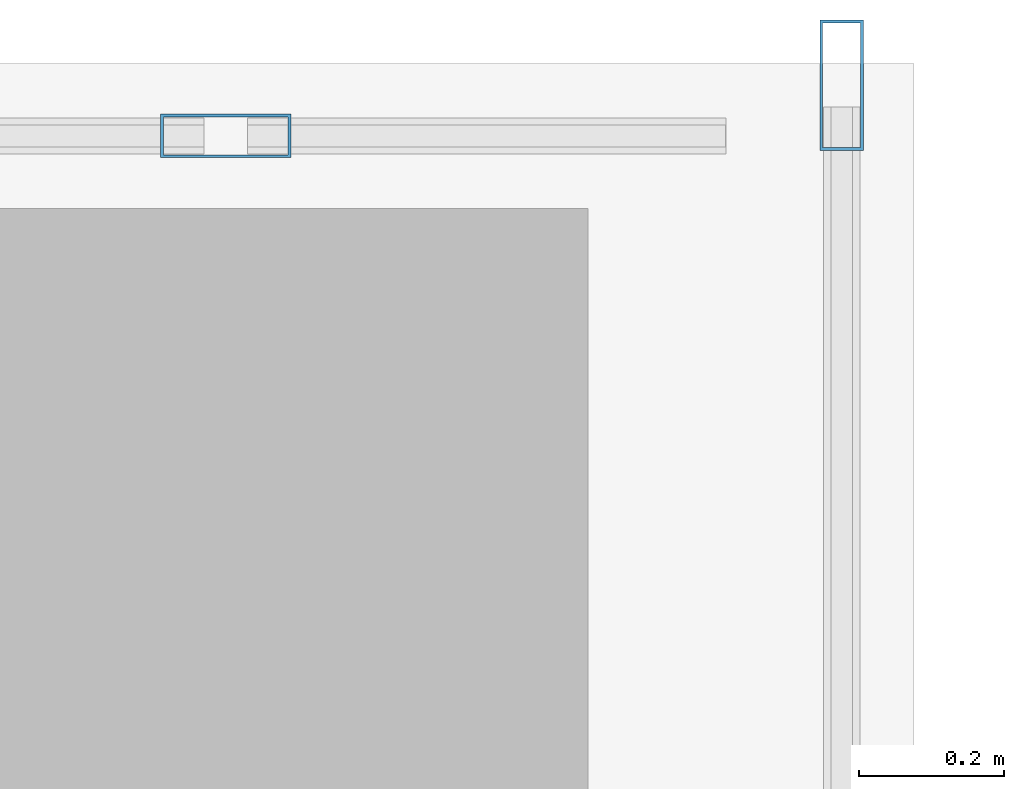
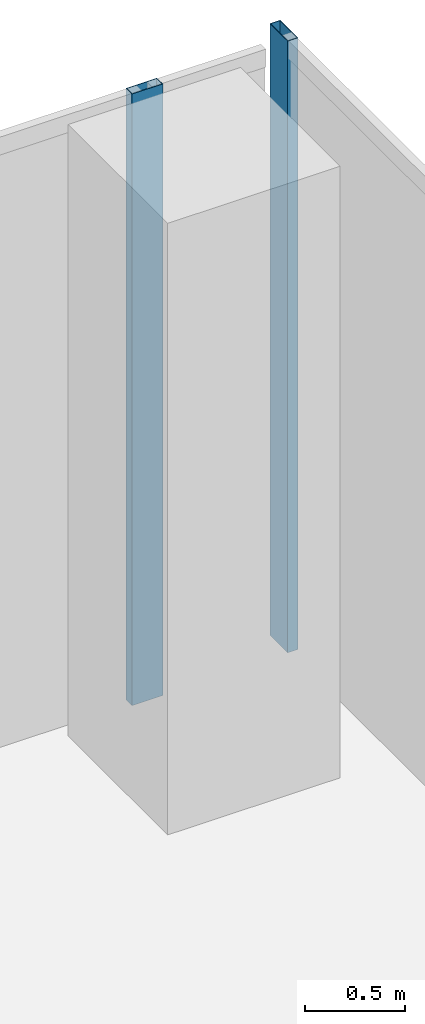
# One storey, part 27 of 40: 2 members, 2 elements without a shape of their own.
"""IFC4 building model written with IfcOpenShell, lengths in metres."""

from ifc_helpers import new_model, si_unit, direction, frame, origin, origin_2d, place, context, subcontext, project, spatial, hollow_rectangle, extrude, source, transform, mapped, material, material_profile, profile_set, type_object, element, aggregate, save


model = new_model("IFC4")

# Units and contexts
model_context = context("Model", 3, precision=1e-05, world=origin(), true_north=direction((0.0, 1.0)))
body_context = subcontext(model_context, "Body", "Model", "MODEL_VIEW")
ifc_project = project(units=[si_unit("LENGTHUNIT", "METRE"), si_unit("AREAUNIT", "SQUARE_METRE"), si_unit("VOLUMEUNIT", "CUBIC_METRE"), si_unit("PLANEANGLEUNIT", "RADIAN"), si_unit("MASSUNIT", "GRAM", prefix="KILO")], contexts=[model_context])

# Site, building, storey
site_placement = place(None, origin())
site = spatial("IfcSite", under=ifc_project, at=site_placement, CompositionType="ELEMENT")
building_placement = place(site_placement, origin())
building = spatial("IfcBuilding", under=site, at=building_placement, Name="Khomas Fold Tower", CompositionType="ELEMENT")
storey_placement = place(building_placement, frame((0.0, 0.0, 192.699951171875)))
storey = spatial("IfcBuildingStorey", under=building, at=storey_placement, Name="L42", CompositionType="ELEMENT", Elevation=192.699951171875)

# Curtain wall, member
ifc_material_1 = material(Name="Aluminium framed double glazing", Category="aluminium")
curtain_wall_type = type_object("IfcCurtainWallType", Name="SK-Unitised clear-glass wall, office floors CW2", PredefinedType="NOTDEFINED", material=ifc_material_1)
curtain_wall_1_placement = place(storey_placement, origin())
curtain_wall_1 = element("IfcCurtainWall", 1, at=curtain_wall_1_placement, inside=storey, type_object=curtain_wall_type, Name="CW2 corner return L42 05", PredefinedType="NOTDEFINED")
ifc_material_2 = material(Name="Aluminium", Category="aluminium")
ifc_material_profile = material_profile(ifc_material_2, hollow_rectangle(XDim=0.06005859375, YDim=0.179931640625, WallThickness=0.00390625, at=origin_2d()), Name="SK-Unitised clear-glass wall, office floors mullion CW2-M")
ifc_profile_set = profile_set([ifc_material_profile], Name="Aluminium")
member_type = type_object("IfcMemberType", Name="SK-Unitised clear-glass wall, office floors mullion CW2-M", PredefinedType="MULLION", material=ifc_profile_set)
shared_shape = source(origin(), body_context, "Body", "SweptSolid", [
    extrude(hollow_rectangle(XDim=0.06005859375, YDim=0.179931640625, WallThickness=0.00390625, at=origin_2d()), origin(), (0.0, 0.0, 1.0), 3.75),
])
member_1_placement = place(storey_placement, frame((46.39990234375, 50.969970703125, 0.0), z_axis=(0.0, 0.0, 1.0), x_axis=(-1.0, 0.0, 0.0)))
member_1 = element("IfcMember", 2, at=member_1_placement, type_object=member_type, Name="CW2 mullion 2", PredefinedType="MULLION", context=body_context, shape_type="MappedRepresentation", body=[
    mapped(shared_shape, transform((0.0, 0.0, 0.0))),
])
aggregate(curtain_wall_1, [member_1])

curtain_wall_2_placement = place(storey_placement, origin())
curtain_wall_2 = element("IfcCurtainWall", 3, at=curtain_wall_2_placement, inside=storey, type_object=curtain_wall_type, Name="CW2 run L42 06-0", PredefinedType="NOTDEFINED")
member_2_placement = place(storey_placement, frame((45.550048828125, 50.89990234375, 0.0), z_axis=(0.0, 0.0, 1.0), x_axis=(0.0, -1.0, 0.0)))
member_2 = element("IfcMember", 4, at=member_2_placement, type_object=member_type, Name="CW2 mullion 2", PredefinedType="MULLION", context=body_context, shape_type="MappedRepresentation", body=[
    mapped(shared_shape, transform((0.0, 0.0, 0.0))),
])
aggregate(curtain_wall_2, [member_2])

save(model, "model.ifc")
